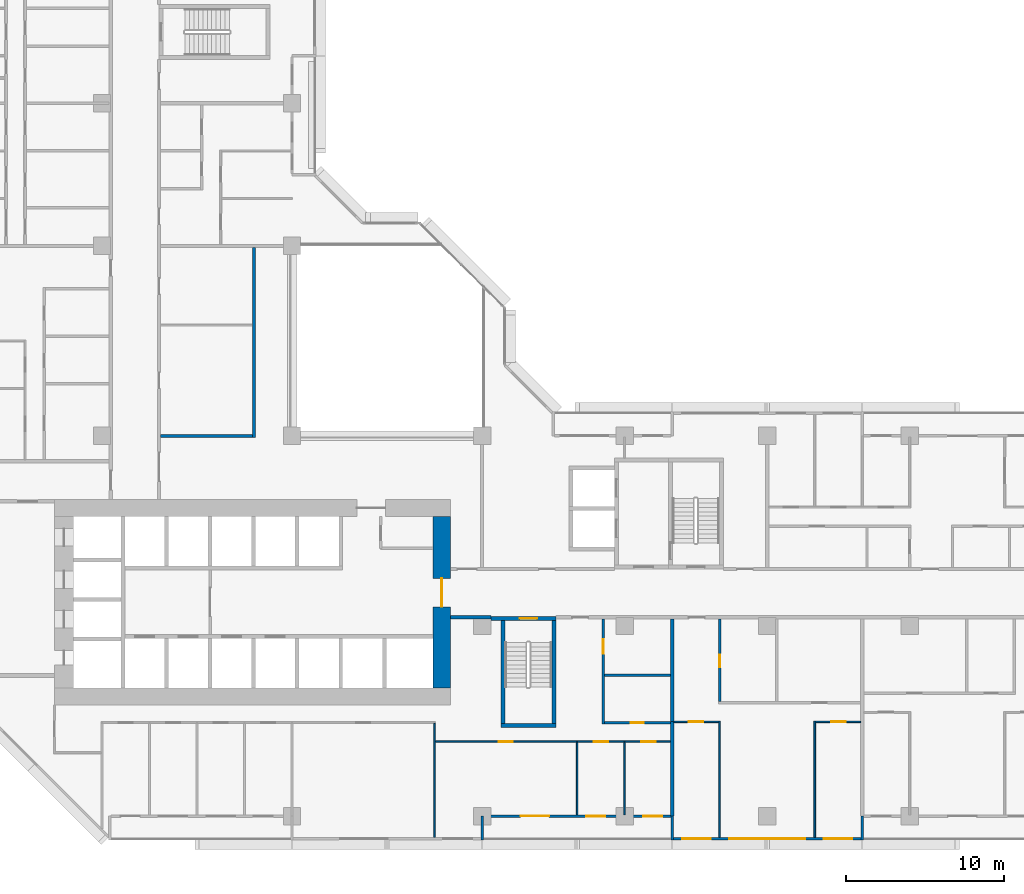
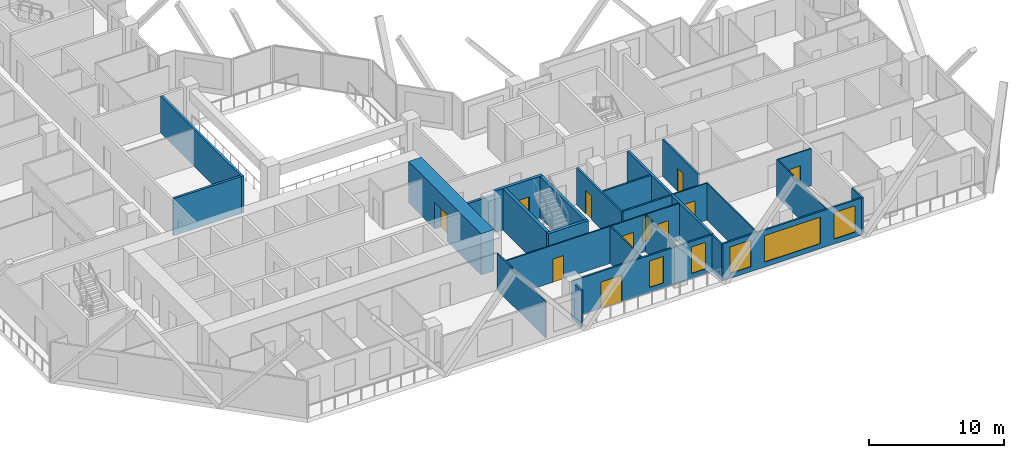
# One storey, part 6 of 15: 27 walls, 11 doors, 5 windows, 16 openings.
"""IFC4 building model written with IfcOpenShell, lengths in metres."""

from ifc_helpers import new_model, si_unit, direction, frame, frame_2d, origin, place, context, subcontext, project, spatial, rectangle, extrude, material, layer, layer_set, type_object, element, fill, save


model = new_model("IFC4")

# Units and contexts
model_context = context("Model", 3, precision=1e-05, world=origin(), true_north=direction((0.0, 1.0)))
body_context = subcontext(model_context, "Body", "Model", "MODEL_VIEW")
ifc_project = project(units=[si_unit("LENGTHUNIT", "METRE"), si_unit("AREAUNIT", "SQUARE_METRE"), si_unit("VOLUMEUNIT", "CUBIC_METRE"), si_unit("PLANEANGLEUNIT", "RADIAN"), si_unit("MASSUNIT", "GRAM", prefix="KILO")], contexts=[model_context])

# Site, building, storey
site_placement = place(None, origin())
site = spatial("IfcSite", under=ifc_project, at=site_placement, CompositionType="ELEMENT")
building_placement = place(site_placement, origin())
building = spatial("IfcBuilding", under=site, at=building_placement, Name="Chenar Terraces", CompositionType="ELEMENT")
storey_placement = place(building_placement, frame((0.0, 0.0, 56.39990234375)))
storey = spatial("IfcBuildingStorey", under=building, at=storey_placement, Name="L11", CompositionType="ELEMENT", Elevation=56.39990234375)

# Wall, opening, door
ifc_material_1 = material(Name="Concrete C70/85", Category="concrete")
ifc_layer_1 = layer(ifc_material_1, 1.10009765625)
ifc_layer_set_1 = layer_set([ifc_layer_1], Name="Concrete C70/85")
wall_type_1 = type_object("IfcWallType", Name="Core wall 1100 Concrete C70/85", PredefinedType="SHEAR", material=ifc_layer_set_1)
wall_1_placement = place(storey_placement, frame((33.449951171875, 8.10009765625, 0.0), z_axis=(0.0, 0.0, 1.0), x_axis=(0.0, 1.0, 0.0)))
wall_1 = element("IfcWall", 1, at=wall_1_placement, inside=storey, type_object=wall_type_1, Name="Core wall E L11", PredefinedType="SHEAR", context=body_context, shape_type="SweptSolid", body=[
    extrude(rectangle(XDim=10.7998046875, YDim=1.10009765625, at=frame_2d((5.39990234375, 0.0))), origin(), (0.0, 0.0, 1.0), 3.75),
])
opening_1_placement = place(wall_1_placement, frame((5.10009765625, 0.0, 0.0)))
opening_1 = element("IfcOpeningElement", 2, at=opening_1_placement, cuts=wall_1, Name="Opening DL11-C1", PredefinedType="OPENING", context=body_context, shape_type="SweptSolid", body=[
    extrude(rectangle(XDim=1.800048828125, YDim=2.39990234375, at=frame_2d((0.89990234375, 1.199951171875))), frame((0.0, 0.56005859375, 0.0), z_axis=(0.0, -1.0, 0.0), x_axis=(1.0, 0.0, 0.0)), (0.0, 0.0, 1.0), 1.1201171875),
])
ifc_material_2 = material(Name="Steel-framed fire-resisting door leaf", Category="steel")
door_type_1 = type_object("IfcDoorType", Name="Core entrance double fire door FD60 1800 x 2400", OperationType="DOUBLE_DOOR_SINGLE_SWING", PredefinedType="DOOR", material=ifc_material_2)
door_1_placement = place(opening_1_placement, origin())
door_1 = element("IfcDoor", 3, at=door_1_placement, inside=storey, type_object=door_type_1, Name="Core door DL11-C1", OperationType="DOUBLE_DOOR_SINGLE_SWING", OverallHeight=2.39990234375, OverallWidth=1.800048828125, PredefinedType="DOOR", context=body_context, shape_type="SweptSolid", body=[
    extrude(rectangle(XDim=1.800048828125, YDim=2.39990234375, at=frame_2d((0.89990234375, 1.199951171875))), frame((0.0, 0.02490234375, 0.0), z_axis=(0.0, -1.0, 0.0), x_axis=(1.0, 0.0, 0.0)), (0.0, 0.0, 1.0), 0.050048828125),
])
fill(opening_1, door_1)

# Wall
ifc_material_3 = material(Name="Concrete C70/85", Category="concrete")
ifc_layer_2 = layer(ifc_material_3, 0.25)
ifc_layer_set_2 = layer_set([ifc_layer_2], Name="Concrete C70/85")
wall_type_2 = type_object("IfcWallType", Name="Core wall 250 Concrete C70/85", PredefinedType="SHEAR", material=ifc_layer_set_2)
wall_2_placement = place(storey_placement, frame((37.199951171875, 5.72509765625, 0.0), z_axis=(0.0, 0.0, 1.0), x_axis=(1.0, 0.0, 0.0)))
element("IfcWall", 4, at=wall_2_placement, inside=storey, type_object=wall_type_2, Name="Core wall ST2_S L11", PredefinedType="SHEAR", context=body_context, shape_type="SweptSolid", body=[
    extrude(rectangle(XDim=3.449951171875, YDim=0.25, at=frame_2d((1.72509765625, 0.0))), origin(), (0.0, 0.0, 1.0), 3.75),
])

# Wall, opening, door
wall_3_placement = place(storey_placement, frame((36.550048828125, 12.47509765625, 0.0), z_axis=(0.0, 0.0, 1.0), x_axis=(1.0, 0.0, 0.0)))
wall_3 = element("IfcWall", 5, at=wall_3_placement, inside=storey, type_object=wall_type_2, Name="Core wall ST2_N L11", PredefinedType="SHEAR", context=body_context, shape_type="SweptSolid", body=[
    extrude(rectangle(XDim=4.099853515625, YDim=0.25, at=frame_2d((2.0498046875, 0.0))), origin(), (0.0, 0.0, 1.0), 3.75),
])
opening_2_placement = place(wall_3_placement, frame((1.824951171875, 0.0, 0.0)))
opening_2 = element("IfcOpeningElement", 6, at=opening_2_placement, cuts=wall_3, Name="Opening DL11-C7", PredefinedType="OPENING", context=body_context, shape_type="SweptSolid", body=[
    extrude(rectangle(XDim=1.10009765625, YDim=2.199951171875, at=frame_2d((0.550048828125, 1.10009765625))), frame((0.0, 0.135009765625, 0.0), z_axis=(0.0, -1.0, 0.0), x_axis=(1.0, 0.0, 0.0)), (0.0, 0.0, 1.0), 0.27001953125),
])
ifc_material_4 = material(Name="Steel-framed fire-resisting door leaf", Category="steel")
door_type_2 = type_object("IfcDoorType", Name="Stair fire door FD60 1100 x 2200", OperationType="SINGLE_SWING_LEFT", PredefinedType="DOOR", material=ifc_material_4)
door_2_placement = place(opening_2_placement, frame((1.10009765625, 0.0, 0.0), z_axis=(0.0, 0.0, 1.0), x_axis=(-1.0, 0.0, 0.0)))
door_2 = element("IfcDoor", 7, at=door_2_placement, inside=storey, type_object=door_type_2, Name="Stair door DL11-C7", OperationType="SINGLE_SWING_LEFT", OverallHeight=2.199951171875, OverallWidth=1.10009765625, PredefinedType="DOOR", context=body_context, shape_type="SweptSolid", body=[
    extrude(rectangle(XDim=1.10009765625, YDim=2.199951171875, at=frame_2d((0.550048828125, 1.10009765625))), frame((0.0, 0.02490234375, 0.0), z_axis=(0.0, -1.0, 0.0), x_axis=(1.0, 0.0, 0.0)), (0.0, 0.0, 1.0), 0.050048828125),
])
fill(opening_2, door_2)

# Walls
for number, where, z_axis, x_axis, name in (
    (8, (37.324951171875, 5.85009765625, 0.0), (0.0, 0.0, 1.0), (0.0, 1.0, 0.0), "Core wall ST2_W L11"),
    (9, (40.52490234375, 5.85009765625, 0.0), (0.0, 0.0, 1.0), (0.0, 1.0, 0.0), "Core wall ST2_E L11"),
):
    element("IfcWall", number, at=place(storey_placement, frame(where, z_axis=z_axis, x_axis=x_axis)), inside=storey, type_object=wall_type_2, Name=name, PredefinedType="SHEAR", context=body_context, shape_type="SweptSolid", body=[
        extrude(rectangle(XDim=6.5, YDim=0.25, at=frame_2d((3.25, 0.0))), origin(), (0.0, 0.0, 1.0), 3.75),
    ])
ifc_material_5 = material(Name="Gypsum board on steel studs with fire boards", Category="steel")
ifc_layer_3 = layer(ifc_material_5, 0.199951171875)
ifc_layer_set_3 = layer_set([ifc_layer_3], Name="Gypsum board on steel studs with fire boards")
wall_type_3 = type_object("IfcWallType", Name="Corridor wall 200", PredefinedType="PARTITIONING", material=ifc_layer_set_3)
wall_4_placement = place(storey_placement, frame((15.699951171875, 24.0, 0.0), z_axis=(0.0, 0.0, 1.0), x_axis=(1.0, 0.0, 0.0)))
element("IfcWall", 10, at=wall_4_placement, inside=storey, type_object=wall_type_3, Name="Partition L11-039", PredefinedType="PARTITIONING", context=body_context, shape_type="SweptSolid", body=[
    extrude(rectangle(XDim=5.800048828125, YDim=0.199951171875, at=frame_2d((2.89990234375, 0.0))), origin(), (0.0, 0.0, 1.0), 3.35009765625),
])
wall_5_placement = place(storey_placement, frame((21.60009765625, 23.89990234375, 0.0), z_axis=(0.0, 0.0, 1.0), x_axis=(0.0, 1.0, 0.0)))
element("IfcWall", 11, at=wall_5_placement, inside=storey, type_object=wall_type_3, Name="Partition L11-057", PredefinedType="PARTITIONING", context=body_context, shape_type="SweptSolid", body=[
    extrude(rectangle(XDim=12.0, YDim=0.199951171875, at=frame_2d((6.0, 0.0))), origin(), (0.0, 0.0, 1.0), 3.35009765625),
])
wall_6_placement = place(storey_placement, frame((34.0, 12.550048828125, 0.0), z_axis=(0.0, 0.0, 1.0), x_axis=(1.0, 0.0, 0.0)))
element("IfcWall", 12, at=wall_6_placement, inside=storey, type_object=wall_type_3, Name="Partition L11-061", PredefinedType="PARTITIONING", context=body_context, shape_type="SweptSolid", body=[
    extrude(rectangle(XDim=2.551025390625, YDim=0.199951171875, at=frame_2d((1.275390625, 0.0))), origin(), (0.0, 0.0, 1.0), 3.35009765625),
])

# Wall, openings, windows
ifc_material_6 = material(Name="Aluminium framed glazing", Category="aluminium")
ifc_layer_4 = layer(ifc_material_6, 0.14990234375)
ifc_layer_set_4 = layer_set([ifc_layer_4], Name="Aluminium framed glazing")
wall_type_4 = type_object("IfcWallType", Name="Glazed flush facade wall 150", PredefinedType="SOLIDWALL", material=ifc_layer_set_4)
wall_7_placement = place(storey_placement, frame((48.074951171875, -1.425048828125, 0.0), z_axis=(0.0, 0.0, 1.0), x_axis=(1.0, 0.0, 0.0)))
wall_7 = element("IfcWall", 13, at=wall_7_placement, inside=storey, type_object=wall_type_4, Name="Glazed flush facade wall", PredefinedType="SOLIDWALL", context=body_context, shape_type="SweptSolid", body=[
    extrude(rectangle(XDim=11.85009765625, YDim=0.14990234375, at=frame_2d((5.925048828125, 0.0))), origin(), (0.0, 0.0, 1.0), 3.35009765625),
])
opening_3_placement = place(wall_7_placement, frame((0.5625, 0.0, 0.449951171875)))
opening_3 = element("IfcOpeningElement", 14, at=opening_3_placement, cuts=wall_7, Name="Opening W180x240", PredefinedType="OPENING", context=body_context, shape_type="SweptSolid", body=[
    extrude(rectangle(XDim=1.800048828125, YDim=2.39990234375, at=frame_2d((0.89990234375, 1.199951171875))), frame((0.0, 0.0849609375, 0.0), z_axis=(0.0, -1.0, 0.0), x_axis=(1.0, 0.0, 0.0)), (0.0, 0.0, 1.0), 0.169921875),
])
opening_4_placement = place(wall_7_placement, frame((3.52490234375, 0.0, 0.449951171875)))
opening_4 = element("IfcOpeningElement", 15, at=opening_4_placement, cuts=wall_7, Name="Opening W480x240", PredefinedType="OPENING", context=body_context, shape_type="SweptSolid", body=[
    extrude(rectangle(XDim=4.800048828125, YDim=2.39990234375, at=frame_2d((2.39990234375, 1.199951171875))), frame((0.0, 0.0849609375, 0.0), z_axis=(0.0, -1.0, 0.0), x_axis=(1.0, 0.0, 0.0)), (0.0, 0.0, 1.0), 0.169921875),
])
opening_5_placement = place(wall_7_placement, frame((9.487548828125, 0.0, 0.449951171875)))
opening_5 = element("IfcOpeningElement", 16, at=opening_5_placement, cuts=wall_7, Name="Opening W180x240", PredefinedType="OPENING", context=body_context, shape_type="SweptSolid", body=[
    extrude(rectangle(XDim=1.800048828125, YDim=2.39990234375, at=frame_2d((0.89990234375, 1.199951171875))), frame((0.0, 0.0849609375, 0.0), z_axis=(0.0, -1.0, 0.0), x_axis=(1.0, 0.0, 0.0)), (0.0, 0.0, 1.0), 0.169921875),
])
ifc_material_7 = material(Name="Low emissivity double glazing, aluminium frame", Category="aluminium")
window_type_1 = type_object("IfcWindowType", Name="Fixed light 1800 x 2400", PartitioningType="SINGLE_PANEL", PredefinedType="WINDOW", material=ifc_material_7)
window_1_placement = place(opening_3_placement, origin())
window_1 = element("IfcWindow", 17, at=window_1_placement, inside=storey, type_object=window_type_1, Name="Window", OverallHeight=2.39990234375, OverallWidth=1.800048828125, PartitioningType="SINGLE_PANEL", PredefinedType="WINDOW", context=body_context, shape_type="SweptSolid", body=[
    extrude(rectangle(XDim=1.800048828125, YDim=2.39990234375, at=frame_2d((0.89990234375, 1.199951171875))), frame((0.0, 0.030029296875, 0.0), z_axis=(0.0, -1.0, 0.0), x_axis=(1.0, 0.0, 0.0)), (0.0, 0.0, 1.0), 0.06005859375),
])
fill(opening_3, window_1)
window_2_placement = place(opening_5_placement, origin())
window_2 = element("IfcWindow", 18, at=window_2_placement, inside=storey, type_object=window_type_1, Name="Window", OverallHeight=2.39990234375, OverallWidth=1.800048828125, PartitioningType="SINGLE_PANEL", PredefinedType="WINDOW", context=body_context, shape_type="SweptSolid", body=[
    extrude(rectangle(XDim=1.800048828125, YDim=2.39990234375, at=frame_2d((0.89990234375, 1.199951171875))), frame((0.0, 0.030029296875, 0.0), z_axis=(0.0, -1.0, 0.0), x_axis=(1.0, 0.0, 0.0)), (0.0, 0.0, 1.0), 0.06005859375),
])
fill(opening_5, window_2)
ifc_material_8 = material(Name="Low emissivity double glazing, aluminium frame", Category="aluminium")
window_type_2 = type_object("IfcWindowType", Name="Fixed light 4800 x 2400", PartitioningType="SINGLE_PANEL", PredefinedType="WINDOW", material=ifc_material_8)
window_3_placement = place(opening_4_placement, origin())
window_3 = element("IfcWindow", 19, at=window_3_placement, inside=storey, type_object=window_type_2, Name="Window", OverallHeight=2.39990234375, OverallWidth=4.800048828125, PartitioningType="SINGLE_PANEL", PredefinedType="WINDOW", context=body_context, shape_type="SweptSolid", body=[
    extrude(rectangle(XDim=4.800048828125, YDim=2.39990234375, at=frame_2d((2.39990234375, 1.199951171875))), frame((0.0, 0.030029296875, 0.0), z_axis=(0.0, -1.0, 0.0), x_axis=(1.0, 0.0, 0.0)), (0.0, 0.0, 1.0), 0.06005859375),
])
fill(opening_4, window_3)

# Wall, openings, windows, door
ifc_material_9 = material(Name="Aluminium framed glazing", Category="aluminium")
ifc_layer_5 = layer(ifc_material_9, 0.14990234375)
ifc_layer_set_5 = layer_set([ifc_layer_5], Name="Aluminium framed glazing")
wall_type_5 = type_object("IfcWallType", Name="Glazed loggia back wall 150", PredefinedType="SOLIDWALL", material=ifc_layer_set_5)
wall_8_placement = place(storey_placement, frame((36.074951171875, 0.0, 0.0), z_axis=(0.0, 0.0, 1.0), x_axis=(1.0, 0.0, 0.0)))
wall_8 = element("IfcWall", 20, at=wall_8_placement, inside=storey, type_object=wall_type_5, Name="Glazed loggia back wall", PredefinedType="SOLIDWALL", context=body_context, shape_type="SweptSolid", body=[
    extrude(rectangle(XDim=11.85009765625, YDim=0.14990234375, at=frame_2d((5.925048828125, 0.0))), origin(), (0.0, 0.0, 1.0), 3.35009765625),
])
opening_6_placement = place(wall_8_placement, frame((2.35009765625, 0.0, 0.0)))
opening_6 = element("IfcOpeningElement", 21, at=opening_6_placement, cuts=wall_8, Name="Opening DL11-G6", PredefinedType="OPENING", context=body_context, shape_type="SweptSolid", body=[
    extrude(rectangle(XDim=1.800048828125, YDim=2.39990234375, at=frame_2d((0.89990234375, 1.199951171875))), frame((0.0, 0.0849609375, 0.0), z_axis=(0.0, -1.0, 0.0), x_axis=(1.0, 0.0, 0.0)), (0.0, 0.0, 1.0), 0.169921875),
])
opening_7_placement = place(wall_8_placement, frame((6.5, 0.0, 0.449951171875)))
opening_7 = element("IfcOpeningElement", 22, at=opening_7_placement, cuts=wall_8, Name="Opening W120x240", PredefinedType="OPENING", context=body_context, shape_type="SweptSolid", body=[
    extrude(rectangle(XDim=1.199951171875, YDim=2.39990234375, at=frame_2d((0.60009765625, 1.199951171875))), frame((0.0, 0.0849609375, 0.0), z_axis=(0.0, -1.0, 0.0), x_axis=(1.0, 0.0, 0.0)), (0.0, 0.0, 1.0), 0.169921875),
])
opening_8_placement = place(wall_8_placement, frame((10.112548828125, 0.0, 0.449951171875)))
opening_8 = element("IfcOpeningElement", 23, at=opening_8_placement, cuts=wall_8, Name="Opening W120x240", PredefinedType="OPENING", context=body_context, shape_type="SweptSolid", body=[
    extrude(rectangle(XDim=1.199951171875, YDim=2.39990234375, at=frame_2d((0.60009765625, 1.199951171875))), frame((0.0, 0.0849609375, 0.0), z_axis=(0.0, -1.0, 0.0), x_axis=(1.0, 0.0, 0.0)), (0.0, 0.0, 1.0), 0.169921875),
])
ifc_material_10 = material(Name="Low emissivity double glazing, aluminium frame", Category="aluminium")
window_type_3 = type_object("IfcWindowType", Name="Fixed light 1200 x 2400", PartitioningType="SINGLE_PANEL", PredefinedType="WINDOW", material=ifc_material_10)
window_4_placement = place(opening_7_placement, origin())
window_4 = element("IfcWindow", 24, at=window_4_placement, inside=storey, type_object=window_type_3, Name="Window", OverallHeight=2.39990234375, OverallWidth=1.199951171875, PartitioningType="SINGLE_PANEL", PredefinedType="WINDOW", context=body_context, shape_type="SweptSolid", body=[
    extrude(rectangle(XDim=1.199951171875, YDim=2.39990234375, at=frame_2d((0.60009765625, 1.199951171875))), frame((0.0, 0.030029296875, 0.0), z_axis=(0.0, -1.0, 0.0), x_axis=(1.0, 0.0, 0.0)), (0.0, 0.0, 1.0), 0.06005859375),
])
fill(opening_7, window_4)
window_5_placement = place(opening_8_placement, origin())
window_5 = element("IfcWindow", 25, at=window_5_placement, inside=storey, type_object=window_type_3, Name="Window", OverallHeight=2.39990234375, OverallWidth=1.199951171875, PartitioningType="SINGLE_PANEL", PredefinedType="WINDOW", context=body_context, shape_type="SweptSolid", body=[
    extrude(rectangle(XDim=1.199951171875, YDim=2.39990234375, at=frame_2d((0.60009765625, 1.199951171875))), frame((0.0, 0.030029296875, 0.0), z_axis=(0.0, -1.0, 0.0), x_axis=(1.0, 0.0, 0.0)), (0.0, 0.0, 1.0), 0.06005859375),
])
fill(opening_8, window_5)
ifc_material_11 = material(Name="Low emissivity double glazing, aluminium frame", Category="aluminium")
door_type_3 = type_object("IfcDoorType", Name="Loggia glazed double door 1800 x 2400", OperationType="DOUBLE_DOOR_SINGLE_SWING", PredefinedType="DOOR", material=ifc_material_11)
door_3_placement = place(opening_6_placement, frame((1.800048828125, 0.0, 0.0), z_axis=(0.0, 0.0, 1.0), x_axis=(-1.0, 0.0, 0.0)))
door_3 = element("IfcDoor", 26, at=door_3_placement, inside=storey, type_object=door_type_3, Name="Loggia glazed door", OperationType="DOUBLE_DOOR_SINGLE_SWING", OverallHeight=2.39990234375, OverallWidth=1.800048828125, PredefinedType="DOOR", context=body_context, shape_type="SweptSolid", body=[
    extrude(rectangle(XDim=1.800048828125, YDim=2.39990234375, at=frame_2d((0.89990234375, 1.199951171875))), frame((0.0, 0.02490234375, 0.0), z_axis=(0.0, -1.0, 0.0), x_axis=(1.0, 0.0, 0.0)), (0.0, 0.0, 1.0), 0.050048828125),
])
fill(opening_6, door_3)

# Wall
ifc_material_12 = material(Name="Gypsum board on steel studs", Category="steel")
ifc_layer_6 = layer(ifc_material_12, 0.10009765625)
ifc_layer_set_6 = layer_set([ifc_layer_6], Name="Gypsum board on steel studs")
wall_type_6 = type_object("IfcWallType", Name="Gypsum partition 100", PredefinedType="PARTITIONING", material=ifc_layer_set_6)
wall_9_placement = place(storey_placement, frame((33.0, -1.35009765625, 0.0), z_axis=(0.0, 0.0, 1.0), x_axis=(0.0, 1.0, 0.0)))
element("IfcWall", 27, at=wall_9_placement, inside=storey, type_object=wall_type_6, Name="Partition L11-059", PredefinedType="PARTITIONING", context=body_context, shape_type="SweptSolid", body=[
    extrude(rectangle(XDim=7.2001953125, YDim=0.10009765625, at=frame_2d((3.60009765625, 0.0))), origin(), (0.0, 0.0, 1.0), 3.35009765625),
])

# Wall, openings, doors
wall_10_placement = place(storey_placement, frame((33.050048828125, 4.699951171875, 0.0), z_axis=(0.0, 0.0, 1.0), x_axis=(1.0, 0.0, 0.0)))
wall_10 = element("IfcWall", 28, at=wall_10_placement, inside=storey, type_object=wall_type_6, Name="Partition L11-060", PredefinedType="PARTITIONING", context=body_context, shape_type="SweptSolid", body=[
    extrude(rectangle(XDim=14.849853515625, YDim=0.10009765625, at=frame_2d((7.4248046875, 0.0))), origin(), (0.0, 0.0, 1.0), 3.35009765625),
])
opening_9_placement = place(wall_10_placement, frame((10.0, 0.0, 0.0)))
opening_9 = element("IfcOpeningElement", 29, at=opening_9_placement, cuts=wall_10, Name="Opening DL11-60", PredefinedType="OPENING", context=body_context, shape_type="SweptSolid", body=[
    extrude(rectangle(XDim=0.89990234375, YDim=2.10009765625, at=frame_2d((0.449951171875, 1.050048828125))), frame((0.0, 0.06005859375, 0.0), z_axis=(0.0, -1.0, 0.0), x_axis=(1.0, 0.0, 0.0)), (0.0, 0.0, 1.0), 0.1201171875),
])
opening_10_placement = place(wall_10_placement, frame((13.0, 0.0, 0.0)))
opening_10 = element("IfcOpeningElement", 30, at=opening_10_placement, cuts=wall_10, Name="Opening DL11-61", PredefinedType="OPENING", context=body_context, shape_type="SweptSolid", body=[
    extrude(rectangle(XDim=0.89990234375, YDim=2.10009765625, at=frame_2d((0.449951171875, 1.050048828125))), frame((0.0, 0.06005859375, 0.0), z_axis=(0.0, -1.0, 0.0), x_axis=(1.0, 0.0, 0.0)), (0.0, 0.0, 1.0), 0.1201171875),
])
opening_11_placement = place(wall_10_placement, frame((4.0, 0.0, 0.0)))
opening_11 = element("IfcOpeningElement", 31, at=opening_11_placement, cuts=wall_10, Name="Opening DL11-67", PredefinedType="OPENING", context=body_context, shape_type="SweptSolid", body=[
    extrude(rectangle(XDim=0.89990234375, YDim=2.10009765625, at=frame_2d((0.449951171875, 1.050048828125))), frame((0.0, 0.06005859375, 0.0), z_axis=(0.0, -1.0, 0.0), x_axis=(1.0, 0.0, 0.0)), (0.0, 0.0, 1.0), 0.1201171875),
])
ifc_material_13 = material(Name="Veneered timber door leaf", Category="wood")
door_type_4 = type_object("IfcDoorType", Name="Door 900 x 2100", OperationType="SINGLE_SWING_LEFT", PredefinedType="DOOR", material=ifc_material_13)
door_4_placement = place(opening_9_placement, frame((0.89990234375, 0.0, 0.0), z_axis=(0.0, 0.0, 1.0), x_axis=(-1.0, 0.0, 0.0)))
door_4 = element("IfcDoor", 32, at=door_4_placement, inside=storey, type_object=door_type_4, Name="Door DL11-60", OperationType="SINGLE_SWING_LEFT", OverallHeight=2.10009765625, OverallWidth=0.89990234375, PredefinedType="DOOR", context=body_context, shape_type="SweptSolid", body=[
    extrude(rectangle(XDim=0.89990234375, YDim=2.10009765625, at=frame_2d((0.449951171875, 1.050048828125))), frame((0.0, 0.02490234375, 0.0), z_axis=(0.0, -1.0, 0.0), x_axis=(1.0, 0.0, 0.0)), (0.0, 0.0, 1.0), 0.050048828125),
])
fill(opening_9, door_4)
door_5_placement = place(opening_10_placement, frame((0.89990234375, 0.0, 0.0), z_axis=(0.0, 0.0, 1.0), x_axis=(-1.0, 0.0, 0.0)))
door_5 = element("IfcDoor", 33, at=door_5_placement, inside=storey, type_object=door_type_4, Name="Door DL11-61", OperationType="SINGLE_SWING_LEFT", OverallHeight=2.10009765625, OverallWidth=0.89990234375, PredefinedType="DOOR", context=body_context, shape_type="SweptSolid", body=[
    extrude(rectangle(XDim=0.89990234375, YDim=2.10009765625, at=frame_2d((0.449951171875, 1.050048828125))), frame((0.0, 0.02490234375, 0.0), z_axis=(0.0, -1.0, 0.0), x_axis=(1.0, 0.0, 0.0)), (0.0, 0.0, 1.0), 0.050048828125),
])
fill(opening_10, door_5)
door_6_placement = place(opening_11_placement, frame((0.89990234375, 0.0, 0.0), z_axis=(0.0, 0.0, 1.0), x_axis=(-1.0, 0.0, 0.0)))
door_6 = element("IfcDoor", 34, at=door_6_placement, inside=storey, type_object=door_type_4, Name="Door DL11-67", OperationType="SINGLE_SWING_LEFT", OverallHeight=2.10009765625, OverallWidth=0.89990234375, PredefinedType="DOOR", context=body_context, shape_type="SweptSolid", body=[
    extrude(rectangle(XDim=0.89990234375, YDim=2.10009765625, at=frame_2d((0.449951171875, 1.050048828125))), frame((0.0, 0.02490234375, 0.0), z_axis=(0.0, -1.0, 0.0), x_axis=(1.0, 0.0, 0.0)), (0.0, 0.0, 1.0), 0.050048828125),
])
fill(opening_11, door_6)

# Walls
for number, where, z_axis, x_axis, name in (
    (35, (42.0, 0.073974609375, 0.0), (0.0, 0.0, 1.0), (0.0, 1.0, 0.0), "Partition L11-065"),
    (36, (45.0, 0.073974609375, 0.0), (0.0, 0.0, 1.0), (0.0, 1.0, 0.0), "Partition L11-069"),
):
    element("IfcWall", number, at=place(storey_placement, frame(where, z_axis=z_axis, x_axis=x_axis)), inside=storey, type_object=wall_type_6, Name=name, PredefinedType="PARTITIONING", context=body_context, shape_type="SweptSolid", body=[
        extrude(rectangle(XDim=4.575927734375, YDim=0.10009765625, at=frame_2d((2.2880859375, 0.0))), origin(), (0.0, 0.0, 1.0), 3.35009765625),
    ])

# Wall, opening, door
wall_11_placement = place(storey_placement, frame((48.10009765625, 5.949951171875, 0.0), z_axis=(0.0, 0.0, 1.0), x_axis=(1.0, 0.0, 0.0)))
wall_11 = element("IfcWall", 37, at=wall_11_placement, inside=storey, type_object=wall_type_6, Name="Partition L11-073", PredefinedType="PARTITIONING", context=body_context, shape_type="SweptSolid", body=[
    extrude(rectangle(XDim=2.849853515625, YDim=0.10009765625, at=frame_2d((1.4248046875, 0.0))), origin(), (0.0, 0.0, 1.0), 3.35009765625),
])
opening_12_placement = place(wall_11_placement, frame((0.949951171875, 0.0, 0.0)))
opening_12 = element("IfcOpeningElement", 38, at=opening_12_placement, cuts=wall_11, Name="Opening DL11-14", PredefinedType="OPENING", context=body_context, shape_type="SweptSolid", body=[
    extrude(rectangle(XDim=0.89990234375, YDim=2.10009765625, at=frame_2d((0.449951171875, 1.050048828125))), frame((0.0, 0.06005859375, 0.0), z_axis=(0.0, -1.0, 0.0), x_axis=(1.0, 0.0, 0.0)), (0.0, 0.0, 1.0), 0.1201171875),
])
door_7_placement = place(opening_12_placement, frame((0.89990234375, 0.0, 0.0), z_axis=(0.0, 0.0, 1.0), x_axis=(-1.0, 0.0, 0.0)))
door_7 = element("IfcDoor", 39, at=door_7_placement, inside=storey, type_object=door_type_4, Name="Door DL11-14", OperationType="SINGLE_SWING_LEFT", OverallHeight=2.10009765625, OverallWidth=0.89990234375, PredefinedType="DOOR", context=body_context, shape_type="SweptSolid", body=[
    extrude(rectangle(XDim=0.89990234375, YDim=2.10009765625, at=frame_2d((0.449951171875, 1.050048828125))), frame((0.0, 0.02490234375, 0.0), z_axis=(0.0, -1.0, 0.0), x_axis=(1.0, 0.0, 0.0)), (0.0, 0.0, 1.0), 0.050048828125),
])
fill(opening_12, door_7)

# Walls
for number, where, z_axis, x_axis, name in (
    (40, (51.0, -1.35009765625, 0.0), (0.0, 0.0, 1.0), (0.0, 1.0, 0.0), "Partition L11-075"),
    (41, (57.0, -1.35009765625, 0.0), (0.0, 0.0, 1.0), (0.0, 1.0, 0.0), "Partition L11-082"),
):
    element("IfcWall", number, at=place(storey_placement, frame(where, z_axis=z_axis, x_axis=x_axis)), inside=storey, type_object=wall_type_6, Name=name, PredefinedType="PARTITIONING", context=body_context, shape_type="SweptSolid", body=[
        extrude(rectangle(XDim=7.35009765625, YDim=0.10009765625, at=frame_2d((3.675048828125, 0.0))), origin(), (0.0, 0.0, 1.0), 3.35009765625),
    ])

# Wall, opening, door
wall_12_placement = place(storey_placement, frame((57.050048828125, 5.949951171875, 0.0), z_axis=(0.0, 0.0, 1.0), x_axis=(1.0, 0.0, 0.0)))
wall_12 = element("IfcWall", 42, at=wall_12_placement, inside=storey, type_object=wall_type_6, Name="Partition L11-084", PredefinedType="PARTITIONING", context=body_context, shape_type="SweptSolid", body=[
    extrude(rectangle(XDim=2.849853515625, YDim=0.10009765625, at=frame_2d((1.4248046875, 0.0))), origin(), (0.0, 0.0, 1.0), 3.35009765625),
])
opening_13_placement = place(wall_12_placement, frame((1.0, 0.0, 0.0)))
opening_13 = element("IfcOpeningElement", 43, at=opening_13_placement, cuts=wall_12, Name="Opening DL11-15", PredefinedType="OPENING", context=body_context, shape_type="SweptSolid", body=[
    extrude(rectangle(XDim=0.89990234375, YDim=2.10009765625, at=frame_2d((0.449951171875, 1.050048828125))), frame((0.0, 0.06005859375, 0.0), z_axis=(0.0, -1.0, 0.0), x_axis=(1.0, 0.0, 0.0)), (0.0, 0.0, 1.0), 0.1201171875),
])
door_8_placement = place(opening_13_placement, frame((0.89990234375, 0.0, 0.0), z_axis=(0.0, 0.0, 1.0), x_axis=(-1.0, 0.0, 0.0)))
door_8 = element("IfcDoor", 44, at=door_8_placement, inside=storey, type_object=door_type_4, Name="Door DL11-15", OperationType="SINGLE_SWING_LEFT", OverallHeight=2.10009765625, OverallWidth=0.89990234375, PredefinedType="DOOR", context=body_context, shape_type="SweptSolid", body=[
    extrude(rectangle(XDim=0.89990234375, YDim=2.10009765625, at=frame_2d((0.449951171875, 1.050048828125))), frame((0.0, 0.02490234375, 0.0), z_axis=(0.0, -1.0, 0.0), x_axis=(1.0, 0.0, 0.0)), (0.0, 0.0, 1.0), 0.050048828125),
])
fill(opening_13, door_8)

# Walls
ifc_material_14 = material(Name="Terracotta cladding on insulated backing", Category="masonry")
ifc_layer_7 = layer(ifc_material_14, 0.14990234375)
ifc_layer_set_7 = layer_set([ifc_layer_7], Name="Terracotta cladding on insulated backing")
wall_type_7 = type_object("IfcWallType", Name="Loggia return wall 150", PredefinedType="SOLIDWALL", material=ifc_layer_set_7)
for number, where, z_axis, x_axis, name in (
    (45, (36.0, -1.5, 0.0), (0.0, 0.0, 1.0), (0.0, 1.0, 0.0), "Loggia return wall"),
    (46, (48.0, -1.5, 0.0), (0.0, 0.0, 1.0), (0.0, 1.0, 0.0), "Loggia return wall"),
    (47, (60.0, -1.5, 0.0), (0.0, 0.0, 1.0), (0.0, 1.0, 0.0), "Loggia return wall"),
):
    element("IfcWall", number, at=place(storey_placement, frame(where, z_axis=z_axis, x_axis=x_axis)), inside=storey, type_object=wall_type_7, Name=name, PredefinedType="SOLIDWALL", context=body_context, shape_type="SweptSolid", body=[
        extrude(rectangle(XDim=1.5, YDim=0.14990234375, at=frame_2d((0.75, 0.0))), origin(), (0.0, 0.0, 1.0), 3.35009765625),
    ])
ifc_material_15 = material(Name="Twin gypsum board on steel studs with mineral wool", Category="steel")
ifc_layer_8 = layer(ifc_material_15, 0.199951171875)
ifc_layer_set_8 = layer_set([ifc_layer_8], Name="Twin gypsum board on steel studs with mineral wool")
wall_type_8 = type_object("IfcWallType", Name="Unit demising wall 200", PredefinedType="PARTITIONING", material=ifc_layer_set_8)
wall_13_placement = place(storey_placement, frame((48.0, 0.0, 0.0), z_axis=(0.0, 0.0, 1.0), x_axis=(0.0, 1.0, 0.0)))
element("IfcWall", 48, at=wall_13_placement, inside=storey, type_object=wall_type_8, Name="Partition L11-071", PredefinedType="PARTITIONING", context=body_context, shape_type="SweptSolid", body=[
    extrude(rectangle(XDim=5.97509765625, YDim=0.199951171875, at=frame_2d((2.987548828125, 0.0))), origin(), (0.0, 0.0, 1.0), 3.35009765625),
])
wall_14_placement = place(storey_placement, frame((48.0, 5.89990234375, 0.0), z_axis=(0.0, 0.0, 1.0), x_axis=(0.0, 1.0, 0.0)))
element("IfcWall", 49, at=wall_14_placement, inside=storey, type_object=wall_type_8, Name="Partition L11-072", PredefinedType="PARTITIONING", context=body_context, shape_type="SweptSolid", body=[
    extrude(rectangle(XDim=6.550048828125, YDim=0.199951171875, at=frame_2d((3.27490234375, 0.0))), origin(), (0.0, 0.0, 1.0), 3.35009765625),
])

# Wall, opening, door
ifc_material_16 = material(Name="Moisture-resistant gypsum board on steel studs", Category="steel")
ifc_layer_9 = layer(ifc_material_16, 0.14990234375)
ifc_layer_set_9 = layer_set([ifc_layer_9], Name="Moisture-resistant gypsum board on steel studs")
wall_type_9 = type_object("IfcWallType", Name="Wet-room partition 150", PredefinedType="PARTITIONING", material=ifc_layer_set_9)
wall_15_placement = place(storey_placement, frame((43.64990234375, 5.824951171875, 0.0), z_axis=(0.0, 0.0, 1.0), x_axis=(0.0, 1.0, 0.0)))
wall_15 = element("IfcWall", 50, at=wall_15_placement, inside=storey, type_object=wall_type_9, Name="Partition L11-066", PredefinedType="PARTITIONING", context=body_context, shape_type="SweptSolid", body=[
    extrude(rectangle(XDim=6.625, YDim=0.14990234375, at=frame_2d((3.3125, 0.0))), origin(), (0.0, 0.0, 1.0), 3.35009765625),
])
opening_14_placement = place(wall_15_placement, frame((4.425048828125, 0.0, 0.0)))
opening_14 = element("IfcOpeningElement", 51, at=opening_14_placement, cuts=wall_15, Name="Opening DL11-65", PredefinedType="OPENING", context=body_context, shape_type="SweptSolid", body=[
    extrude(rectangle(XDim=0.89990234375, YDim=2.10009765625, at=frame_2d((0.449951171875, 1.050048828125))), frame((0.0, 0.0849609375, 0.0), z_axis=(0.0, -1.0, 0.0), x_axis=(1.0, 0.0, 0.0)), (0.0, 0.0, 1.0), 0.169921875),
])
door_9_placement = place(opening_14_placement, frame((0.89990234375, 0.0, 0.0), z_axis=(0.0, 0.0, 1.0), x_axis=(-1.0, 0.0, 0.0)))
door_9 = element("IfcDoor", 52, at=door_9_placement, inside=storey, type_object=door_type_4, Name="Door DL11-65", OperationType="SINGLE_SWING_LEFT", OverallHeight=2.10009765625, OverallWidth=0.89990234375, PredefinedType="DOOR", context=body_context, shape_type="SweptSolid", body=[
    extrude(rectangle(XDim=0.89990234375, YDim=2.10009765625, at=frame_2d((0.449951171875, 1.050048828125))), frame((0.0, 0.02490234375, 0.0), z_axis=(0.0, -1.0, 0.0), x_axis=(1.0, 0.0, 0.0)), (0.0, 0.0, 1.0), 0.050048828125),
])
fill(opening_14, door_9)

wall_16_placement = place(storey_placement, frame((43.72509765625, 5.89990234375, 0.0), z_axis=(0.0, 0.0, 1.0), x_axis=(1.0, 0.0, 0.0)))
wall_16 = element("IfcWall", 53, at=wall_16_placement, inside=storey, type_object=wall_type_9, Name="Partition L11-067", PredefinedType="PARTITIONING", context=body_context, shape_type="SweptSolid", body=[
    extrude(rectangle(XDim=4.1748046875, YDim=0.14990234375, at=frame_2d((2.08740234375, 0.0))), origin(), (0.0, 0.0, 1.0), 3.35009765625),
])
opening_15_placement = place(wall_16_placement, frame((1.675048828125, 0.0, 0.0)))
opening_15 = element("IfcOpeningElement", 54, at=opening_15_placement, cuts=wall_16, Name="Opening DL11-55", PredefinedType="OPENING", context=body_context, shape_type="SweptSolid", body=[
    extrude(rectangle(XDim=0.800048828125, YDim=2.10009765625, at=frame_2d((0.39990234375, 1.050048828125))), frame((0.0, 0.0849609375, 0.0), z_axis=(0.0, -1.0, 0.0), x_axis=(1.0, 0.0, 0.0)), (0.0, 0.0, 1.0), 0.169921875),
])
ifc_material_17 = material(Name="Veneered timber door leaf", Category="wood")
door_type_5 = type_object("IfcDoorType", Name="Door 800 x 2100", OperationType="SINGLE_SWING_LEFT", PredefinedType="DOOR", material=ifc_material_17)
door_10_placement = place(opening_15_placement, origin())
door_10 = element("IfcDoor", 55, at=door_10_placement, inside=storey, type_object=door_type_5, Name="Door DL11-55", OperationType="SINGLE_SWING_LEFT", OverallHeight=2.10009765625, OverallWidth=0.800048828125, PredefinedType="DOOR", context=body_context, shape_type="SweptSolid", body=[
    extrude(rectangle(XDim=0.800048828125, YDim=2.10009765625, at=frame_2d((0.39990234375, 1.050048828125))), frame((0.0, 0.02490234375, 0.0), z_axis=(0.0, -1.0, 0.0), x_axis=(1.0, 0.0, 0.0)), (0.0, 0.0, 1.0), 0.050048828125),
])
fill(opening_15, door_10)

# Wall
wall_17_placement = place(storey_placement, frame((43.72509765625, 8.89990234375, 0.0), z_axis=(0.0, 0.0, 1.0), x_axis=(1.0, 0.0, 0.0)))
element("IfcWall", 56, at=wall_17_placement, inside=storey, type_object=wall_type_9, Name="Partition L11-068", PredefinedType="PARTITIONING", context=body_context, shape_type="SweptSolid", body=[
    extrude(rectangle(XDim=4.1748046875, YDim=0.14990234375, at=frame_2d((2.08740234375, 0.0))), origin(), (0.0, 0.0, 1.0), 3.35009765625),
])

# Wall, opening, door
wall_18_placement = place(storey_placement, frame((51.0, 7.22509765625, 0.0), z_axis=(0.0, 0.0, 1.0), x_axis=(0.0, 1.0, 0.0)))
wall_18 = element("IfcWall", 57, at=wall_18_placement, inside=storey, type_object=wall_type_9, Name="Partition L11-076", PredefinedType="PARTITIONING", context=body_context, shape_type="SweptSolid", body=[
    extrude(rectangle(XDim=5.224853515625, YDim=0.14990234375, at=frame_2d((2.6123046875, 0.0))), origin(), (0.0, 0.0, 1.0), 3.35009765625),
])
opening_16_placement = place(wall_18_placement, frame((2.175048828125, 0.0, 0.0)))
opening_16 = element("IfcOpeningElement", 58, at=opening_16_placement, cuts=wall_18, Name="Opening DL11-13", PredefinedType="OPENING", context=body_context, shape_type="SweptSolid", body=[
    extrude(rectangle(XDim=0.800048828125, YDim=2.10009765625, at=frame_2d((0.39990234375, 1.050048828125))), frame((0.0, 0.0849609375, 0.0), z_axis=(0.0, -1.0, 0.0), x_axis=(1.0, 0.0, 0.0)), (0.0, 0.0, 1.0), 0.169921875),
])
door_11_placement = place(opening_16_placement, frame((0.800048828125, 0.0, 0.0), z_axis=(0.0, 0.0, 1.0), x_axis=(-1.0, 0.0, 0.0)))
door_11 = element("IfcDoor", 59, at=door_11_placement, inside=storey, type_object=door_type_5, Name="Door DL11-13", OperationType="SINGLE_SWING_LEFT", OverallHeight=2.10009765625, OverallWidth=0.800048828125, PredefinedType="DOOR", context=body_context, shape_type="SweptSolid", body=[
    extrude(rectangle(XDim=0.800048828125, YDim=2.10009765625, at=frame_2d((0.39990234375, 1.050048828125))), frame((0.0, 0.02490234375, 0.0), z_axis=(0.0, -1.0, 0.0), x_axis=(1.0, 0.0, 0.0)), (0.0, 0.0, 1.0), 0.050048828125),
])
fill(opening_16, door_11)

save(model, "model.ifc")
